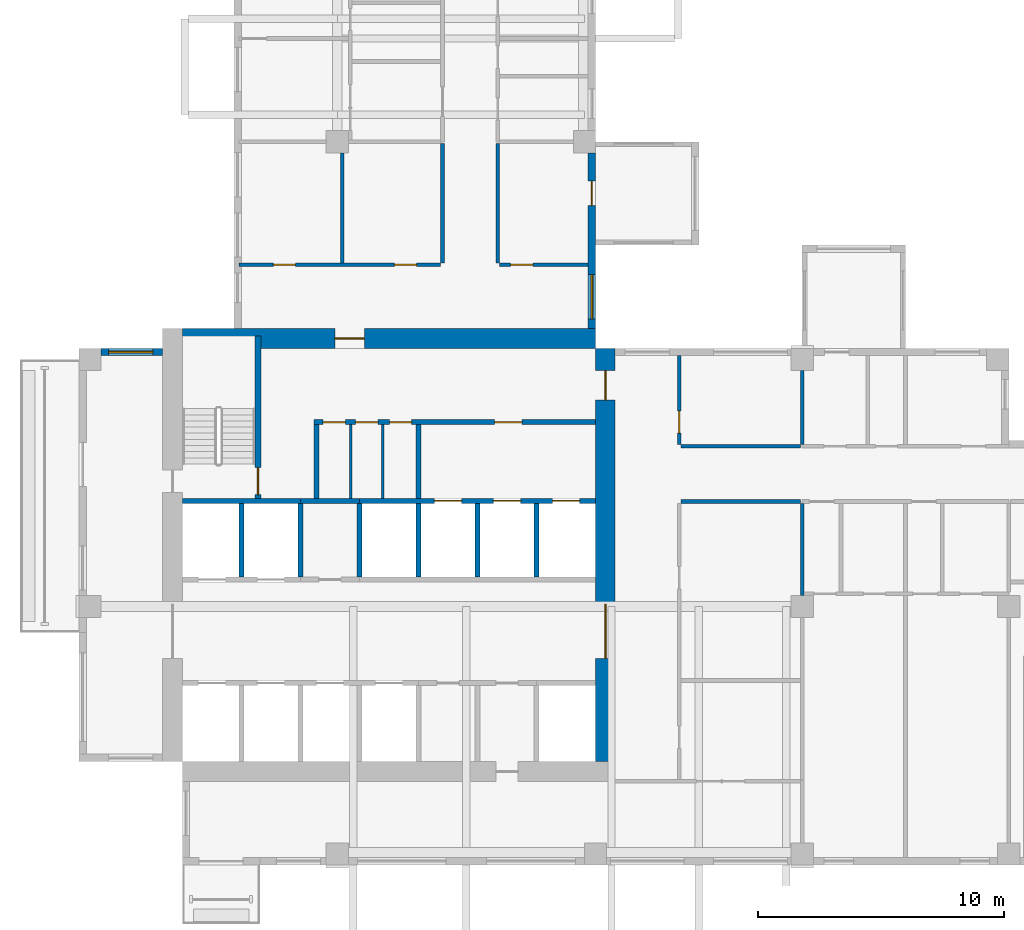
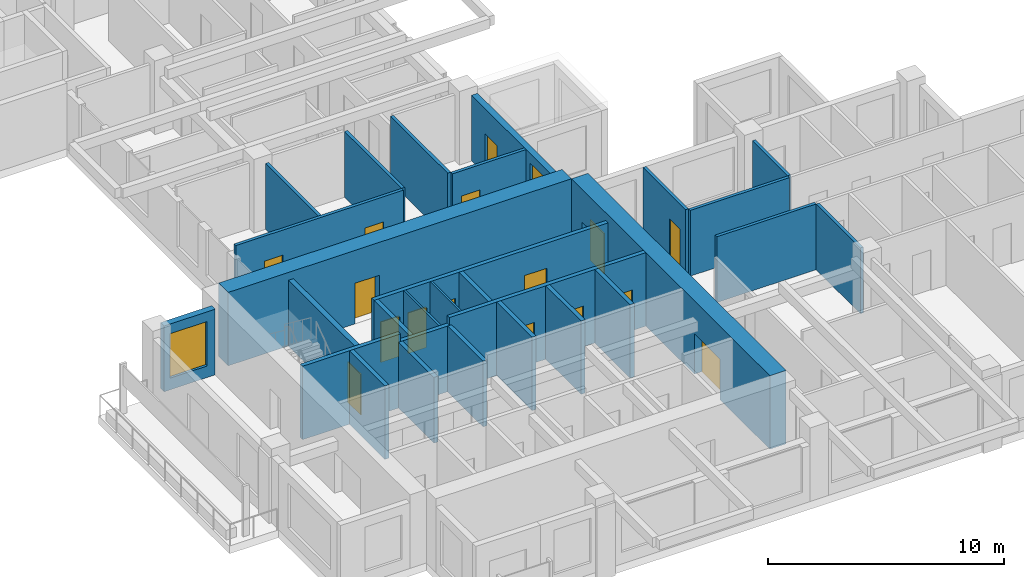
# One storey, part 3 of 12: 29 walls, 16 doors, 2 windows, 18 openings.
"""IFC4 building model written with IfcOpenShell, lengths in metres."""

from ifc_helpers import new_model, si_unit, direction, frame, frame_2d, origin, place, context, subcontext, project, spatial, rectangle, extrude, source, transform, mapped, material, layer, layer_set, type_object, element, fill, save


model = new_model("IFC4")

# Units and contexts
model_context = context("Model", 3, precision=1e-05, world=origin(), true_north=direction((0.0, 1.0)))
body_context = subcontext(model_context, "Body", "Model", "MODEL_VIEW")
ifc_project = project(units=[si_unit("LENGTHUNIT", "METRE"), si_unit("AREAUNIT", "SQUARE_METRE"), si_unit("VOLUMEUNIT", "CUBIC_METRE"), si_unit("PLANEANGLEUNIT", "RADIAN"), si_unit("MASSUNIT", "GRAM", prefix="KILO")], contexts=[model_context])

# Site, building, storey
site_placement = place(None, origin())
site = spatial("IfcSite", under=ifc_project, at=site_placement, CompositionType="ELEMENT")
building_placement = place(site_placement, origin())
building = spatial("IfcBuilding", under=site, at=building_placement, Name="Aurelian Terraces", CompositionType="ELEMENT")
storey_placement = place(building_placement, frame((0.0, 0.0, 215.8)))
storey = spatial("IfcBuildingStorey", under=building, at=storey_placement, Name="L48", CompositionType="ELEMENT", Elevation=215.8)

# Wall
ifc_material_1 = material(Name="Gypsum board on steel studs", Category="steel")
ifc_layer_1 = layer(ifc_material_1, 0.15)
ifc_layer_set_1 = layer_set([ifc_layer_1], Name="Partition 150")
wall_type_1 = type_object("IfcWallType", Name="Partition 150", PredefinedType="PARTITIONING", material=ifc_layer_set_1)
wall_1_placement = place(storey_placement, frame((10.7, 24.475, 0.0), z_axis=(0.0, 0.0, 1.0), x_axis=(0.0, 1.0, 0.0)))
element("IfcWall", 1, at=wall_1_placement, inside=storey, type_object=wall_type_1, Name="Partition", PredefinedType="PARTITIONING", context=body_context, shape_type="SweptSolid", body=[
    extrude(rectangle(XDim=4.476, YDim=0.15, at=frame_2d((2.238, 0.0))), origin(), (0.0, 0.0, 1.0), 3.4),
])

# Wall, openings, doors
ifc_material_2 = material(Name="Concrete fc' 70 MPa", Category="concrete")
ifc_layer_2 = layer(ifc_material_2, 0.8)
ifc_layer_set_2 = layer_set([ifc_layer_2], Name="CORE WALL 800 FC70")
wall_type_2 = type_object("IfcWallType", Name="CORE WALL 800 FC70", PredefinedType="SHEAR", material=ifc_layer_set_2)
shared_shape_1 = source(origin(), body_context, "Body", "SweptSolid", [
    extrude(rectangle(XDim=16.8, YDim=0.8, at=frame_2d((8.4, 0.0))), origin(), (0.0, 0.0, 1.0), 3.8),
])
wall_2_placement = place(storey_placement, frame((21.4, 4.2, 0.0), z_axis=(0.0, 0.0, 1.0), x_axis=(0.0, 1.0, 0.0)))
wall_2 = element("IfcWall", 2, at=wall_2_placement, inside=storey, type_object=wall_type_2, Name="Core wall E L48", PredefinedType="SHEAR", context=body_context, shape_type="MappedRepresentation", body=[
    mapped(shared_shape_1, transform((0.0, 0.0, 0.0), scale=1.0)),
])
shared_shape_2 = source(origin(), body_context, "Body", "SweptSolid", [
    extrude(rectangle(XDim=2.2, YDim=2.1, at=frame_2d((1.1, 1.05))), frame((0.0, 0.41, 0.0), z_axis=(0.0, -1.0, 0.0), x_axis=(1.0, 0.0, 0.0)), (0.0, 0.0, 1.0), 0.82),
])
opening_1_placement = place(wall_2_placement, frame((4.2, 0.0, 0.0)))
opening_1 = element("IfcOpeningElement", 3, at=opening_1_placement, cuts=wall_2, Name="Opening 65123", PredefinedType="OPENING", context=body_context, shape_type="MappedRepresentation", body=[
    mapped(shared_shape_2, transform((0.0, 0.0, 0.0), scale=1.0)),
])
shared_shape_3 = source(origin(), body_context, "Body", "SweptSolid", [
    extrude(rectangle(XDim=1.2, YDim=2.1, at=frame_2d((0.6, 1.05))), frame((0.0, 0.41, 0.0), z_axis=(0.0, -1.0, 0.0), x_axis=(1.0, 0.0, 0.0)), (0.0, 0.0, 1.0), 0.82),
])
opening_2_placement = place(wall_2_placement, frame((14.7, 0.0, 0.0)))
opening_2 = element("IfcOpeningElement", 4, at=opening_2_placement, cuts=wall_2, Name="Opening 65126", PredefinedType="OPENING", context=body_context, shape_type="MappedRepresentation", body=[
    mapped(shared_shape_3, transform((0.0, 0.0, 0.0), scale=1.0)),
])
ifc_material_3 = material(Name="Steel door leaf", Category="steel")
door_type_1 = type_object("IfcDoorType", Name="Core fire door 1200x2100", OperationType="SINGLE_SWING_LEFT", PredefinedType="DOOR", material=ifc_material_3)
shared_shape_4 = source(origin(), body_context, "Body", "SweptSolid", [
    extrude(rectangle(XDim=1.2, YDim=2.1, at=frame_2d((0.6, 1.05))), frame((0.0, 0.025, 0.0), z_axis=(0.0, -1.0, 0.0), x_axis=(1.0, 0.0, 0.0)), (0.0, 0.0, 1.0), 0.05),
])
door_1_placement = place(opening_2_placement, origin())
door_1 = element("IfcDoor", 5, at=door_1_placement, inside=storey, type_object=door_type_1, Name="Core door 65126", OperationType="SINGLE_SWING_LEFT", OverallHeight=2.1, OverallWidth=1.2, PredefinedType="DOOR", context=body_context, shape_type="MappedRepresentation", body=[
    mapped(shared_shape_4, transform((0.0, 0.0, 0.0), scale=1.0)),
])
fill(opening_2, door_1)
door_type_2 = type_object("IfcDoorType", Name="Core double door 2200x2100", OperationType="DOUBLE_DOOR_SINGLE_SWING", PredefinedType="DOOR", material=ifc_material_3)
shared_shape_5 = source(origin(), body_context, "Body", "SweptSolid", [
    extrude(rectangle(XDim=2.2, YDim=2.1, at=frame_2d((1.1, 1.05))), frame((0.0, 0.025, 0.0), z_axis=(0.0, -1.0, 0.0), x_axis=(1.0, 0.0, 0.0)), (0.0, 0.0, 1.0), 0.05),
])
door_2_placement = place(opening_1_placement, origin())
door_2 = element("IfcDoor", 6, at=door_2_placement, inside=storey, type_object=door_type_2, Name="Core door 65123", OperationType="DOUBLE_DOOR_SINGLE_SWING", OverallHeight=2.1, OverallWidth=2.2, PredefinedType="DOOR", context=body_context, shape_type="MappedRepresentation", body=[
    mapped(shared_shape_5, transform((0.0, 0.0, 0.0), scale=1.0)),
])
fill(opening_1, door_2)

# Wall, opening, door
wall_3_placement = place(storey_placement, frame((4.2, 21.4, 0.0), z_axis=(0.0, 0.0, 1.0), x_axis=(1.0, 0.0, 0.0)))
wall_3 = element("IfcWall", 7, at=wall_3_placement, inside=storey, type_object=wall_type_2, Name="Core wall N L48", PredefinedType="SHEAR", context=body_context, shape_type="MappedRepresentation", body=[
    mapped(shared_shape_1, transform((0.0, 0.0, 0.0), scale=1.0)),
])
opening_3_placement = place(wall_3_placement, frame((6.2, 0.0, 0.0)))
opening_3 = element("IfcOpeningElement", 8, at=opening_3_placement, cuts=wall_3, Name="Opening 65125", PredefinedType="OPENING", context=body_context, shape_type="MappedRepresentation", body=[
    mapped(shared_shape_3, transform((0.0, 0.0, 0.0), scale=1.0)),
])
door_type_3 = type_object("IfcDoorType", Name="Core fire door 1200x2100 right", OperationType="SINGLE_SWING_RIGHT", PredefinedType="DOOR", material=ifc_material_3)
door_3_placement = place(opening_3_placement, origin())
door_3 = element("IfcDoor", 9, at=door_3_placement, inside=storey, type_object=door_type_3, Name="Core door 65125", OperationType="SINGLE_SWING_RIGHT", OverallHeight=2.1, OverallWidth=1.2, PredefinedType="DOOR", context=body_context, shape_type="MappedRepresentation", body=[
    mapped(shared_shape_4, transform((0.0, 0.0, 0.0), scale=1.0)),
])
fill(opening_3, door_3)

# Wall, openings, window, door
ifc_material_4 = material(Name="Terracotta rainscreen cladding", Category="masonry")
ifc_layer_3 = layer(ifc_material_4, 0.3)
ifc_layer_set_3 = layer_set([ifc_layer_3], Name="EW-300")
wall_type_3 = type_object("IfcWallType", Name="EW-300", PredefinedType="STANDARD", material=ifc_layer_set_3)
shared_shape_6 = source(origin(), body_context, "Body", "SweptSolid", [
    extrude(rectangle(XDim=7.15, YDim=0.3, at=frame_2d((3.575, 0.0))), origin(), (0.0, 0.0, 1.0), 3.4),
])
wall_4_placement = place(storey_placement, frame((20.85, 21.8, 0.0), z_axis=(0.0, 0.0, 1.0), x_axis=(0.0, 1.0, 0.0)))
wall_4 = element("IfcWall", 10, at=wall_4_placement, inside=storey, type_object=wall_type_3, Name="External wall L48 F08.18", PredefinedType="STANDARD", context=body_context, shape_type="MappedRepresentation", body=[
    mapped(shared_shape_6, transform((0.0, 0.0, 0.0), scale=1.0)),
])
shared_shape_7 = source(origin(), body_context, "Body", "SweptSolid", [
    extrude(rectangle(XDim=1.8, YDim=2.3, at=frame_2d((0.9, 1.15))), frame((0.0, 0.16, 0.0), z_axis=(0.0, -1.0, 0.0), x_axis=(1.0, 0.0, 0.0)), (0.0, 0.0, 1.0), 0.32),
])
opening_4_placement = place(wall_4_placement, frame((0.4, 0.0, 0.6)))
opening_4 = element("IfcOpeningElement", 11, at=opening_4_placement, cuts=wall_4, Name="Opening W1823", PredefinedType="OPENING", context=body_context, shape_type="MappedRepresentation", body=[
    mapped(shared_shape_7, transform((0.0, 0.0, 0.0), scale=1.0)),
])
shared_shape_8 = source(origin(), body_context, "Body", "SweptSolid", [
    extrude(rectangle(XDim=1.0, YDim=2.1, at=frame_2d((0.5, 1.05))), frame((0.0, 0.16, 0.0), z_axis=(0.0, -1.0, 0.0), x_axis=(1.0, 0.0, 0.0)), (0.0, 0.0, 1.0), 0.32),
])
opening_5_placement = place(wall_4_placement, frame((5.0, 0.0, 0.0)))
opening_5 = element("IfcOpeningElement", 12, at=opening_5_placement, cuts=wall_4, Name="Opening 848002", PredefinedType="OPENING", context=body_context, shape_type="MappedRepresentation", body=[
    mapped(shared_shape_8, transform((0.0, 0.0, 0.0), scale=1.0)),
])
ifc_material_5 = material(Name="Clear glazing", Category="glass")
window_type = type_object("IfcWindowType", Name="W-1800x2300", PartitioningType="SINGLE_PANEL", PredefinedType="WINDOW", material=ifc_material_5)
shared_shape_9 = source(origin(), body_context, "Body", "SweptSolid", [
    extrude(rectangle(XDim=1.8, YDim=2.3, at=frame_2d((0.9, 1.15))), frame((0.0, 0.03, 0.0), z_axis=(0.0, -1.0, 0.0), x_axis=(1.0, 0.0, 0.0)), (0.0, 0.0, 1.0), 0.06),
])
window_1_placement = place(opening_4_placement, origin())
window_1 = element("IfcWindow", 13, at=window_1_placement, inside=storey, type_object=window_type, Name="Window L48 L48-F08-18-0", OverallHeight=2.3, OverallWidth=1.8, PartitioningType="SINGLE_PANEL", PredefinedType="WINDOW", context=body_context, shape_type="MappedRepresentation", body=[
    mapped(shared_shape_9, transform((0.0, 0.0, 0.0), scale=1.0)),
])
fill(opening_4, window_1)
ifc_material_6 = material(Name="Timber door leaf", Category="wood")
door_type_4 = type_object("IfcDoorType", Name="Room door 1000x2100 left", OperationType="SINGLE_SWING_LEFT", PredefinedType="DOOR", material=ifc_material_6)
shared_shape_10 = source(origin(), body_context, "Body", "SweptSolid", [
    extrude(rectangle(XDim=1.0, YDim=2.1, at=frame_2d((0.5, 1.05))), frame((0.0, 0.025, 0.0), z_axis=(0.0, -1.0, 0.0), x_axis=(1.0, 0.0, 0.0)), (0.0, 0.0, 1.0), 0.05),
])
door_4_placement = place(opening_5_placement, origin())
door_4 = element("IfcDoor", 14, at=door_4_placement, inside=storey, type_object=door_type_4, Name="Door 848002", OperationType="SINGLE_SWING_LEFT", OverallHeight=2.1, OverallWidth=1.0, PredefinedType="DOOR", context=body_context, shape_type="MappedRepresentation", body=[
    mapped(shared_shape_10, transform((0.0, 0.0, 0.0), scale=1.0)),
])
fill(opening_5, door_4)

# Wall, opening, window
shared_shape_11 = source(origin(), body_context, "Body", "SweptSolid", [
    extrude(rectangle(XDim=2.5, YDim=0.3, at=frame_2d((1.25, 0.0))), origin(), (0.0, 0.0, 1.0), 3.4),
])
wall_5_placement = place(storey_placement, frame((3.4, 20.85, 0.0), z_axis=(0.0, 0.0, 1.0), x_axis=(-1.0, 0.0, 0.0)))
wall_5 = element("IfcWall", 15, at=wall_5_placement, inside=storey, type_object=wall_type_3, Name="External wall L48 F19.34", PredefinedType="STANDARD", context=body_context, shape_type="MappedRepresentation", body=[
    mapped(shared_shape_11, transform((0.0, 0.0, 0.0), scale=1.0)),
])
opening_6_placement = place(wall_5_placement, frame((0.4, 0.0, 0.6)))
opening_6 = element("IfcOpeningElement", 16, at=opening_6_placement, cuts=wall_5, Name="Opening W1823", PredefinedType="OPENING", context=body_context, shape_type="MappedRepresentation", body=[
    mapped(shared_shape_7, transform((0.0, 0.0, 0.0), scale=1.0)),
])
window_2_placement = place(opening_6_placement, origin())
window_2 = element("IfcWindow", 17, at=window_2_placement, inside=storey, type_object=window_type, Name="Window L48 L48-F19-34-0", OverallHeight=2.3, OverallWidth=1.8, PartitioningType="SINGLE_PANEL", PredefinedType="WINDOW", context=body_context, shape_type="MappedRepresentation", body=[
    mapped(shared_shape_9, transform((0.0, 0.0, 0.0), scale=1.0)),
])
fill(opening_6, window_2)

# Walls
ifc_material_7 = material(Name="Concrete fc' 40 MPa", Category="concrete")
ifc_layer_4 = layer(ifc_material_7, 0.2)
ifc_layer_set_4 = layer_set([ifc_layer_4], Name="Lift shaft wall 200")
wall_type_4 = type_object("IfcWallType", Name="Lift shaft wall 200", PredefinedType="SOLIDWALL", material=ifc_layer_set_4)
shared_shape_12 = source(origin(), body_context, "Body", "SweptSolid", [
    extrude(rectangle(XDim=3.0, YDim=0.2, at=frame_2d((1.5, 0.0))), origin(), (0.0, 0.0, 1.0), 3.4),
])
for number, where, z_axis, x_axis, name in (
    (18, (9.0, 11.7, 0.0), (0.0, 0.0, 1.0), (0.0, 1.0, 0.0), "L48 core wall CD-B2"),
    (19, (11.4, 11.7, 0.0), (0.0, 0.0, 1.0), (0.0, 1.0, 0.0), "L48 core wall CD-B3"),
):
    element("IfcWall", number, at=place(storey_placement, frame(where, z_axis=z_axis, x_axis=x_axis)), inside=storey, type_object=wall_type_4, Name=name, PredefinedType="SOLIDWALL", context=body_context, shape_type="MappedRepresentation", body=[
        mapped(shared_shape_12, transform((0.0, 0.0, 0.0), scale=1.0)),
    ])
shared_shape_13 = source(origin(), body_context, "Body", "SweptSolid", [
    extrude(rectangle(XDim=3.0, YDim=0.2, at=frame_2d((1.5, 0.0))), origin(), (0.0, 0.0, 1.0), 3.8),
])
for number, where, z_axis, x_axis, name in (
    (20, (6.6, 11.7, 0.0), (0.0, 0.0, 1.0), (0.0, 1.0, 0.0), "L48 core wall CD-B1"),
    (21, (13.8, 11.7, 0.0), (0.0, 0.0, 1.0), (0.0, 1.0, 0.0), "L48 core wall CD-B4"),
    (22, (16.2, 11.7, 0.0), (0.0, 0.0, 1.0), (0.0, 1.0, 0.0), "L48 core wall CD-B5"),
    (23, (18.6, 11.7, 0.0), (0.0, 0.0, 1.0), (0.0, 1.0, 0.0), "L48 core wall CD-B6"),
):
    element("IfcWall", number, at=place(storey_placement, frame(where, z_axis=z_axis, x_axis=x_axis)), inside=storey, type_object=wall_type_4, Name=name, PredefinedType="SOLIDWALL", context=body_context, shape_type="MappedRepresentation", body=[
        mapped(shared_shape_13, transform((0.0, 0.0, 0.0), scale=1.0)),
    ])

# Wall, openings, doors
shared_shape_14 = source(origin(), body_context, "Body", "SweptSolid", [
    extrude(rectangle(XDim=9.6, YDim=0.2, at=frame_2d((4.8, 0.0))), origin(), (0.0, 0.0, 1.0), 3.8),
])
wall_6_placement = place(storey_placement, frame((11.4, 14.8, 0.0), z_axis=(0.0, 0.0, 1.0), x_axis=(1.0, 0.0, 0.0)))
wall_6 = element("IfcWall", 24, at=wall_6_placement, inside=storey, type_object=wall_type_4, Name="L48 core wall CF-BB3", PredefinedType="SOLIDWALL", context=body_context, shape_type="MappedRepresentation", body=[
    mapped(shared_shape_14, transform((0.0, 0.0, 0.0), scale=1.0)),
])
shared_shape_15 = source(origin(), body_context, "Body", "SweptSolid", [
    extrude(rectangle(XDim=1.1, YDim=2.1, at=frame_2d((0.55, 1.05))), frame((0.0, 0.11, 0.0), z_axis=(0.0, -1.0, 0.0), x_axis=(1.0, 0.0, 0.0)), (0.0, 0.0, 1.0), 0.22),
])
opening_7_placement = place(wall_6_placement, frame((3.05, 0.0, 0.0)))
opening_7 = element("IfcOpeningElement", 25, at=opening_7_placement, cuts=wall_6, Name="Opening 65109", PredefinedType="OPENING", context=body_context, shape_type="MappedRepresentation", body=[
    mapped(shared_shape_15, transform((0.0, 0.0, 0.0), scale=1.0)),
])
opening_8_placement = place(wall_6_placement, frame((5.45, 0.0, 0.0)))
opening_8 = element("IfcOpeningElement", 26, at=opening_8_placement, cuts=wall_6, Name="Opening 65110", PredefinedType="OPENING", context=body_context, shape_type="MappedRepresentation", body=[
    mapped(shared_shape_15, transform((0.0, 0.0, 0.0), scale=1.0)),
])
opening_9_placement = place(wall_6_placement, frame((7.85, 0.0, 0.0)))
opening_9 = element("IfcOpeningElement", 27, at=opening_9_placement, cuts=wall_6, Name="Opening 65111", PredefinedType="OPENING", context=body_context, shape_type="MappedRepresentation", body=[
    mapped(shared_shape_15, transform((0.0, 0.0, 0.0), scale=1.0)),
])
ifc_material_8 = material(Name="Stainless steel", Category="steel")
door_type_5 = type_object("IfcDoorType", Name="Lift landing door 1100x2100", OperationType="SLIDING_TO_LEFT", PredefinedType="DOOR", material=ifc_material_8)
shared_shape_16 = source(origin(), body_context, "Body", "SweptSolid", [
    extrude(rectangle(XDim=1.1, YDim=2.1, at=frame_2d((0.55, 1.05))), frame((0.0, 0.025, 0.0), z_axis=(0.0, -1.0, 0.0), x_axis=(1.0, 0.0, 0.0)), (0.0, 0.0, 1.0), 0.05),
])
door_5_placement = place(opening_7_placement, origin())
door_5 = element("IfcDoor", 28, at=door_5_placement, inside=storey, type_object=door_type_5, Name="Lift landing door F1 L48", OperationType="SLIDING_TO_LEFT", OverallHeight=2.1, OverallWidth=1.1, PredefinedType="DOOR", context=body_context, shape_type="MappedRepresentation", body=[
    mapped(shared_shape_16, transform((0.0, 0.0, 0.0), scale=1.0)),
])
fill(opening_7, door_5)
door_6_placement = place(opening_8_placement, origin())
door_6 = element("IfcDoor", 29, at=door_6_placement, inside=storey, type_object=door_type_5, Name="Lift landing door F2 L48", OperationType="SLIDING_TO_LEFT", OverallHeight=2.1, OverallWidth=1.1, PredefinedType="DOOR", context=body_context, shape_type="MappedRepresentation", body=[
    mapped(shared_shape_16, transform((0.0, 0.0, 0.0), scale=1.0)),
])
fill(opening_8, door_6)
door_7_placement = place(opening_9_placement, origin())
door_7 = element("IfcDoor", 30, at=door_7_placement, inside=storey, type_object=door_type_5, Name="Lift landing door F3 L48", OperationType="SLIDING_TO_LEFT", OverallHeight=2.1, OverallWidth=1.1, PredefinedType="DOOR", context=body_context, shape_type="MappedRepresentation", body=[
    mapped(shared_shape_16, transform((0.0, 0.0, 0.0), scale=1.0)),
])
fill(opening_9, door_7)

# Walls
shared_shape_17 = source(origin(), body_context, "Body", "SweptSolid", [
    extrude(rectangle(XDim=4.8, YDim=0.2, at=frame_2d((2.4, 0.0))), origin(), (0.0, 0.0, 1.0), 3.8),
])
wall_7_placement = place(storey_placement, frame((4.2, 14.8, 0.0), z_axis=(0.0, 0.0, 1.0), x_axis=(1.0, 0.0, 0.0)))
element("IfcWall", 31, at=wall_7_placement, inside=storey, type_object=wall_type_4, Name="L48 core wall CF-BB1", PredefinedType="SOLIDWALL", context=body_context, shape_type="MappedRepresentation", body=[
    mapped(shared_shape_17, transform((0.0, 0.0, 0.0), scale=1.0)),
])
shared_shape_18 = source(origin(), body_context, "Body", "SweptSolid", [
    extrude(rectangle(XDim=2.4, YDim=0.2, at=frame_2d((1.2, 0.0))), origin(), (0.0, 0.0, 1.0), 3.4),
])
wall_8_placement = place(storey_placement, frame((9.0, 14.8, 0.0), z_axis=(0.0, 0.0, 1.0), x_axis=(1.0, 0.0, 0.0)))
element("IfcWall", 32, at=wall_8_placement, inside=storey, type_object=wall_type_4, Name="L48 core wall CF-BB2", PredefinedType="SOLIDWALL", context=body_context, shape_type="MappedRepresentation", body=[
    mapped(shared_shape_18, transform((0.0, 0.0, 0.0), scale=1.0)),
])
ifc_layer_5 = layer(ifc_material_1, 0.2)
ifc_layer_set_5 = layer_set([ifc_layer_5], Name="Core partition 200")
wall_type_5 = type_object("IfcWallType", Name="Core partition 200", PredefinedType="PARTITIONING", material=ifc_layer_set_5)
shared_shape_19 = source(origin(), body_context, "Body", "SweptSolid", [
    extrude(rectangle(XDim=3.0, YDim=0.2, at=frame_2d((1.5, 0.0))), origin(), (0.0, 0.0, 1.0), 3.4),
])
for number, where, z_axis, x_axis, name in (
    (33, (9.65, 14.9, 0.0), (0.0, 0.0, 1.0), (0.0, 1.0, 0.0), "L48 core wall CP-VEST"),
    (34, (13.8, 14.9, 0.0), (0.0, 0.0, 1.0), (0.0, 1.0, 0.0), "L48 core wall CP-FFL"),
):
    element("IfcWall", number, at=place(storey_placement, frame(where, z_axis=z_axis, x_axis=x_axis)), inside=storey, type_object=wall_type_5, Name=name, PredefinedType="PARTITIONING", context=body_context, shape_type="MappedRepresentation", body=[
        mapped(shared_shape_19, transform((0.0, 0.0, 0.0), scale=1.0)),
    ])
ifc_layer_6 = layer(ifc_material_1, 0.1)
ifc_layer_set_6 = layer_set([ifc_layer_6], Name="Core partition 100")
wall_type_6 = type_object("IfcWallType", Name="Core partition 100", PredefinedType="PARTITIONING", material=ifc_layer_set_6)
shared_shape_20 = source(origin(), body_context, "Body", "SweptSolid", [
    extrude(rectangle(XDim=3.0, YDim=0.1, at=frame_2d((1.5, 0.0))), origin(), (0.0, 0.0, 1.0), 3.4),
])
for number, where, z_axis, x_axis, name in (
    (35, (11.05, 14.9, 0.0), (0.0, 0.0, 1.0), (0.0, 1.0, 0.0), "L48 core wall CP-SV1"),
    (36, (12.35, 14.9, 0.0), (0.0, 0.0, 1.0), (0.0, 1.0, 0.0), "L48 core wall CP-SV2"),
):
    element("IfcWall", number, at=place(storey_placement, frame(where, z_axis=z_axis, x_axis=x_axis)), inside=storey, type_object=wall_type_6, Name=name, PredefinedType="PARTITIONING", context=body_context, shape_type="MappedRepresentation", body=[
        mapped(shared_shape_20, transform((0.0, 0.0, 0.0), scale=1.0)),
    ])

# Wall, opening, door
ifc_layer_7 = layer(ifc_material_7, 0.25)
ifc_layer_set_7 = layer_set([ifc_layer_7], Name="Stair enclosure wall 250")
wall_type_7 = type_object("IfcWallType", Name="Stair enclosure wall 250", PredefinedType="SOLIDWALL", material=ifc_layer_set_7)
shared_shape_21 = source(origin(), body_context, "Body", "SweptSolid", [
    extrude(rectangle(XDim=6.6, YDim=0.25, at=frame_2d((3.3, 0.0))), origin(), (0.0, 0.0, 1.0), 3.4),
])
wall_9_placement = place(storey_placement, frame((7.275, 14.9, 0.0), z_axis=(0.0, 0.0, 1.0), x_axis=(0.0, 1.0, 0.0)))
wall_9 = element("IfcWall", 37, at=wall_9_placement, inside=storey, type_object=wall_type_7, Name="L48 core wall ST-S1-E", PredefinedType="SOLIDWALL", context=body_context, shape_type="MappedRepresentation", body=[
    mapped(shared_shape_21, transform((0.0, 0.0, 0.0), scale=1.0)),
])
shared_shape_22 = source(origin(), body_context, "Body", "SweptSolid", [
    extrude(rectangle(XDim=1.1, YDim=2.1, at=frame_2d((0.55, 1.05))), frame((0.0, 0.135, 0.0), z_axis=(0.0, -1.0, 0.0), x_axis=(1.0, 0.0, 0.0)), (0.0, 0.0, 1.0), 0.27),
])
opening_10_placement = place(wall_9_placement, frame((0.15, 0.0, 0.0)))
opening_10 = element("IfcOpeningElement", 38, at=opening_10_placement, cuts=wall_9, Name="Opening 65112", PredefinedType="OPENING", context=body_context, shape_type="MappedRepresentation", body=[
    mapped(shared_shape_22, transform((0.0, 0.0, 0.0), scale=1.0)),
])
door_type_6 = type_object("IfcDoorType", Name="Core fire door 1100x2100 right", OperationType="SINGLE_SWING_RIGHT", PredefinedType="DOOR", material=ifc_material_3)
door_8_placement = place(opening_10_placement, origin())
door_8 = element("IfcDoor", 39, at=door_8_placement, inside=storey, type_object=door_type_6, Name="Stair door 65112", OperationType="SINGLE_SWING_RIGHT", OverallHeight=2.1, OverallWidth=1.1, PredefinedType="DOOR", context=body_context, shape_type="MappedRepresentation", body=[
    mapped(shared_shape_16, transform((0.0, 0.0, 0.0), scale=1.0)),
])
fill(opening_10, door_8)

# Wall, openings, doors
shared_shape_23 = source(origin(), body_context, "Body", "SweptSolid", [
    extrude(rectangle(XDim=11.45, YDim=0.2, at=frame_2d((5.725, 0.0))), origin(), (0.0, 0.0, 1.0), 3.4),
])
wall_10_placement = place(storey_placement, frame((9.55, 18.0, 0.0), z_axis=(0.0, 0.0, 1.0), x_axis=(1.0, 0.0, 0.0)))
wall_10 = element("IfcWall", 40, at=wall_10_placement, inside=storey, type_object=wall_type_5, Name="L48 core wall CP-NORTH", PredefinedType="PARTITIONING", context=body_context, shape_type="MappedRepresentation", body=[
    mapped(shared_shape_23, transform((0.0, 0.0, 0.0), scale=1.0)),
])
shared_shape_24 = source(origin(), body_context, "Body", "SweptSolid", [
    extrude(rectangle(XDim=0.9, YDim=2.1, at=frame_2d((0.45, 1.05))), frame((0.0, 0.11, 0.0), z_axis=(0.0, -1.0, 0.0), x_axis=(1.0, 0.0, 0.0)), (0.0, 0.0, 1.0), 0.22),
])
opening_11_placement = place(wall_10_placement, frame((0.375, 0.0, 0.0)))
opening_11 = element("IfcOpeningElement", 41, at=opening_11_placement, cuts=wall_10, Name="Opening 65113", PredefinedType="OPENING", context=body_context, shape_type="MappedRepresentation", body=[
    mapped(shared_shape_24, transform((0.0, 0.0, 0.0), scale=1.0)),
])
opening_12_placement = place(wall_10_placement, frame((1.7, 0.0, 0.0)))
opening_12 = element("IfcOpeningElement", 42, at=opening_12_placement, cuts=wall_10, Name="Opening 65114", PredefinedType="OPENING", context=body_context, shape_type="MappedRepresentation", body=[
    mapped(shared_shape_24, transform((0.0, 0.0, 0.0), scale=1.0)),
])
opening_13_placement = place(wall_10_placement, frame((3.075, 0.0, 0.0)))
opening_13 = element("IfcOpeningElement", 43, at=opening_13_placement, cuts=wall_10, Name="Opening 65115", PredefinedType="OPENING", context=body_context, shape_type="MappedRepresentation", body=[
    mapped(shared_shape_24, transform((0.0, 0.0, 0.0), scale=1.0)),
])
opening_14_placement = place(wall_10_placement, frame((7.35, 0.0, 0.0)))
opening_14 = element("IfcOpeningElement", 44, at=opening_14_placement, cuts=wall_10, Name="Opening 65116", PredefinedType="OPENING", context=body_context, shape_type="MappedRepresentation", body=[
    mapped(shared_shape_15, transform((0.0, 0.0, 0.0), scale=1.0)),
])
door_type_7 = type_object("IfcDoorType", Name="Core riser door 900x2100", OperationType="SINGLE_SWING_LEFT", PredefinedType="DOOR", material=ifc_material_3)
shared_shape_25 = source(origin(), body_context, "Body", "SweptSolid", [
    extrude(rectangle(XDim=0.9, YDim=2.1, at=frame_2d((0.45, 1.05))), frame((0.0, 0.025, 0.0), z_axis=(0.0, -1.0, 0.0), x_axis=(1.0, 0.0, 0.0)), (0.0, 0.0, 1.0), 0.05),
])
door_9_placement = place(opening_11_placement, origin())
door_9 = element("IfcDoor", 45, at=door_9_placement, inside=storey, type_object=door_type_7, Name="Room door 65113", OperationType="SINGLE_SWING_LEFT", OverallHeight=2.1, OverallWidth=0.9, PredefinedType="DOOR", context=body_context, shape_type="MappedRepresentation", body=[
    mapped(shared_shape_25, transform((0.0, 0.0, 0.0), scale=1.0)),
])
fill(opening_11, door_9)
door_type_8 = type_object("IfcDoorType", Name="Core service door 900x2100 right", OperationType="SINGLE_SWING_RIGHT", PredefinedType="DOOR", material=ifc_material_3)
door_10_placement = place(opening_12_placement, origin())
door_10 = element("IfcDoor", 46, at=door_10_placement, inside=storey, type_object=door_type_8, Name="Room door 65114", OperationType="SINGLE_SWING_RIGHT", OverallHeight=2.1, OverallWidth=0.9, PredefinedType="DOOR", context=body_context, shape_type="MappedRepresentation", body=[
    mapped(shared_shape_25, transform((0.0, 0.0, 0.0), scale=1.0)),
])
fill(opening_12, door_10)
door_type_9 = type_object("IfcDoorType", Name="Core service door 900x2100", OperationType="SINGLE_SWING_LEFT", PredefinedType="DOOR", material=ifc_material_3)
door_11_placement = place(opening_13_placement, origin())
door_11 = element("IfcDoor", 47, at=door_11_placement, inside=storey, type_object=door_type_9, Name="Room door 65115", OperationType="SINGLE_SWING_LEFT", OverallHeight=2.1, OverallWidth=0.9, PredefinedType="DOOR", context=body_context, shape_type="MappedRepresentation", body=[
    mapped(shared_shape_25, transform((0.0, 0.0, 0.0), scale=1.0)),
])
fill(opening_13, door_11)
door_12_placement = place(opening_14_placement, origin())
door_12 = element("IfcDoor", 48, at=door_12_placement, inside=storey, type_object=door_type_6, Name="Ff lobby door 65116", OperationType="SINGLE_SWING_RIGHT", OverallHeight=2.1, OverallWidth=1.1, PredefinedType="DOOR", context=body_context, shape_type="MappedRepresentation", body=[
    mapped(shared_shape_16, transform((0.0, 0.0, 0.0), scale=1.0)),
])
fill(opening_14, door_12)

# Wall, opening, door
shared_shape_26 = source(origin(), body_context, "Body", "SweptSolid", [
    extrude(rectangle(XDim=3.6, YDim=0.15, at=frame_2d((1.8, 0.0))), origin(), (0.0, 0.0, 1.0), 3.4),
])
wall_11_placement = place(storey_placement, frame((24.4, 20.7, 0.0), z_axis=(0.0, 0.0, 1.0), x_axis=(0.0, -1.0, 0.0)))
wall_11 = element("IfcWall", 49, at=wall_11_placement, inside=storey, type_object=wall_type_1, Name="Partition", PredefinedType="PARTITIONING", context=body_context, shape_type="MappedRepresentation", body=[
    mapped(shared_shape_26, transform((0.0, 0.0, 0.0), scale=1.0)),
])
shared_shape_27 = source(origin(), body_context, "Body", "SweptSolid", [
    extrude(rectangle(XDim=0.9, YDim=2.1, at=frame_2d((0.45, 1.05))), frame((0.0, 0.085, 0.0), z_axis=(0.0, -1.0, 0.0), x_axis=(1.0, 0.0, 0.0)), (0.0, 0.0, 1.0), 0.17),
])
opening_15_placement = place(wall_11_placement, frame((2.25, 0.0, 0.0)))
opening_15 = element("IfcOpeningElement", 50, at=opening_15_placement, cuts=wall_11, Name="Opening 748003", PredefinedType="OPENING", context=body_context, shape_type="MappedRepresentation", body=[
    mapped(shared_shape_27, transform((0.0, 0.0, 0.0), scale=1.0)),
])
door_type_10 = type_object("IfcDoorType", Name="Room door 900x2100 right", OperationType="SINGLE_SWING_RIGHT", PredefinedType="DOOR", material=ifc_material_6)
door_13_placement = place(opening_15_placement, origin())
door_13 = element("IfcDoor", 51, at=door_13_placement, inside=storey, type_object=door_type_10, Name="Door 748003", OperationType="SINGLE_SWING_RIGHT", OverallHeight=2.1, OverallWidth=0.9, PredefinedType="DOOR", context=body_context, shape_type="MappedRepresentation", body=[
    mapped(shared_shape_25, transform((0.0, 0.0, 0.0), scale=1.0)),
])
fill(opening_15, door_13)

wall_12_placement = place(storey_placement, frame((17.1, 24.4, 0.0), z_axis=(0.0, 0.0, 1.0), x_axis=(1.0, 0.0, 0.0)))
wall_12 = element("IfcWall", 52, at=wall_12_placement, inside=storey, type_object=wall_type_1, Name="Partition", PredefinedType="PARTITIONING", context=body_context, shape_type="MappedRepresentation", body=[
    mapped(shared_shape_26, transform((0.0, 0.0, 0.0), scale=1.0)),
])
opening_16_placement = place(wall_12_placement, frame((0.45, 0.0, 0.0)))
opening_16 = element("IfcOpeningElement", 53, at=opening_16_placement, cuts=wall_12, Name="Opening 748021", PredefinedType="OPENING", context=body_context, shape_type="MappedRepresentation", body=[
    mapped(shared_shape_27, transform((0.0, 0.0, 0.0), scale=1.0)),
])
door_14_placement = place(opening_16_placement, origin())
door_14 = element("IfcDoor", 54, at=door_14_placement, inside=storey, type_object=door_type_10, Name="Door 748021", OperationType="SINGLE_SWING_RIGHT", OverallHeight=2.1, OverallWidth=0.9, PredefinedType="DOOR", context=body_context, shape_type="MappedRepresentation", body=[
    mapped(shared_shape_25, transform((0.0, 0.0, 0.0), scale=1.0)),
])
fill(opening_16, door_14)

# Walls
shared_shape_28 = source(origin(), body_context, "Body", "SweptSolid", [
    extrude(rectangle(XDim=3.001, YDim=0.15, at=frame_2d((1.5005, 0.0))), origin(), (0.0, 0.0, 1.0), 3.4),
])
wall_13_placement = place(storey_placement, frame((29.4, 17.1, 0.0), z_axis=(0.0, 0.0, 1.0), x_axis=(0.0, 1.0, 0.0)))
element("IfcWall", 55, at=wall_13_placement, inside=storey, type_object=wall_type_1, Name="Partition", PredefinedType="PARTITIONING", context=body_context, shape_type="MappedRepresentation", body=[
    mapped(shared_shape_28, transform((0.0, 0.0, 0.0), scale=1.0)),
])
shared_shape_29 = source(origin(), body_context, "Body", "SweptSolid", [
    extrude(rectangle(XDim=3.751, YDim=0.15, at=frame_2d((1.8755, 0.0))), origin(), (0.0, 0.0, 1.0), 3.4),
])
wall_14_placement = place(storey_placement, frame((29.4, 10.949, 0.0), z_axis=(0.0, 0.0, 1.0), x_axis=(0.0, 1.0, 0.0)))
element("IfcWall", 56, at=wall_14_placement, inside=storey, type_object=wall_type_1, Name="Partition", PredefinedType="PARTITIONING", context=body_context, shape_type="MappedRepresentation", body=[
    mapped(shared_shape_29, transform((0.0, 0.0, 0.0), scale=1.0)),
])
ifc_layer_8 = layer(ifc_material_1, 0.15)
ifc_layer_set_8 = layer_set([ifc_layer_8], Name="Fire partition 150")
wall_type_8 = type_object("IfcWallType", Name="Fire partition 150", PredefinedType="PARTITIONING", material=ifc_layer_set_8)
shared_shape_30 = source(origin(), body_context, "Body", "SweptSolid", [
    extrude(rectangle(XDim=4.85, YDim=0.15, at=frame_2d((2.425, 0.0))), origin(), (0.0, 0.0, 1.0), 3.4),
])
for number, where, z_axis, x_axis, name in (
    (57, (29.325, 14.775, 0.0), (0.0, 0.0, 1.0), (-1.0, 0.0, 0.0), "Corridor wall"),
    (58, (24.475, 17.025, 0.0), (0.0, 0.0, 1.0), (1.0, 0.0, 0.0), "Corridor wall"),
    (59, (14.775, 24.475, 0.0), (0.0, 0.0, 1.0), (0.0, 1.0, 0.0), "Corridor wall"),
    (60, (17.025, 29.325, 0.0), (0.0, 0.0, 1.0), (0.0, -1.0, 0.0), "Corridor wall"),
):
    element("IfcWall", number, at=place(storey_placement, frame(where, z_axis=z_axis, x_axis=x_axis)), inside=storey, type_object=wall_type_8, Name=name, PredefinedType="PARTITIONING", context=body_context, shape_type="MappedRepresentation", body=[
        mapped(shared_shape_30, transform((0.0, 0.0, 0.0), scale=1.0)),
    ])

# Wall, openings, doors
shared_shape_31 = source(origin(), body_context, "Body", "SweptSolid", [
    extrude(rectangle(XDim=8.195, YDim=0.15, at=frame_2d((4.0975, 0.0))), origin(), (0.0, 0.0, 1.0), 3.4),
])
wall_15_placement = place(storey_placement, frame((6.505, 24.4, 0.0), z_axis=(0.0, 0.0, 1.0), x_axis=(1.0, 0.0, 0.0)))
wall_15 = element("IfcWall", 61, at=wall_15_placement, inside=storey, type_object=wall_type_1, Name="Partition", PredefinedType="PARTITIONING", context=body_context, shape_type="MappedRepresentation", body=[
    mapped(shared_shape_31, transform((0.0, 0.0, 0.0), scale=1.0)),
])
opening_17_placement = place(wall_15_placement, frame((1.395, 0.0, 0.0)))
opening_17 = element("IfcOpeningElement", 62, at=opening_17_placement, cuts=wall_15, Name="Opening 748019", PredefinedType="OPENING", context=body_context, shape_type="MappedRepresentation", body=[
    mapped(shared_shape_27, transform((0.0, 0.0, 0.0), scale=1.0)),
])
opening_18_placement = place(wall_15_placement, frame((6.32, 0.0, 0.0)))
opening_18 = element("IfcOpeningElement", 63, at=opening_18_placement, cuts=wall_15, Name="Opening 748020", PredefinedType="OPENING", context=body_context, shape_type="MappedRepresentation", body=[
    mapped(shared_shape_27, transform((0.0, 0.0, 0.0), scale=1.0)),
])
door_15_placement = place(opening_17_placement, origin())
door_15 = element("IfcDoor", 64, at=door_15_placement, inside=storey, type_object=door_type_10, Name="Door 748019", OperationType="SINGLE_SWING_RIGHT", OverallHeight=2.1, OverallWidth=0.9, PredefinedType="DOOR", context=body_context, shape_type="MappedRepresentation", body=[
    mapped(shared_shape_25, transform((0.0, 0.0, 0.0), scale=1.0)),
])
fill(opening_17, door_15)
door_type_11 = type_object("IfcDoorType", Name="Room door 900x2100 left", OperationType="SINGLE_SWING_LEFT", PredefinedType="DOOR", material=ifc_material_6)
door_16_placement = place(opening_18_placement, origin())
door_16 = element("IfcDoor", 65, at=door_16_placement, inside=storey, type_object=door_type_11, Name="Door 748020", OperationType="SINGLE_SWING_LEFT", OverallHeight=2.1, OverallWidth=0.9, PredefinedType="DOOR", context=body_context, shape_type="MappedRepresentation", body=[
    mapped(shared_shape_25, transform((0.0, 0.0, 0.0), scale=1.0)),
])
fill(opening_18, door_16)

save(model, "model.ifc")
